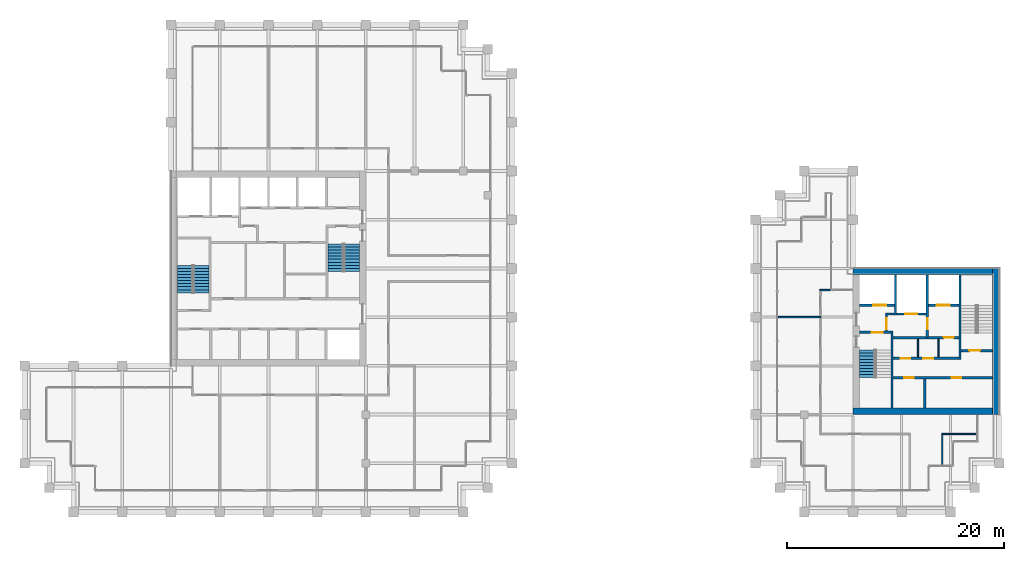
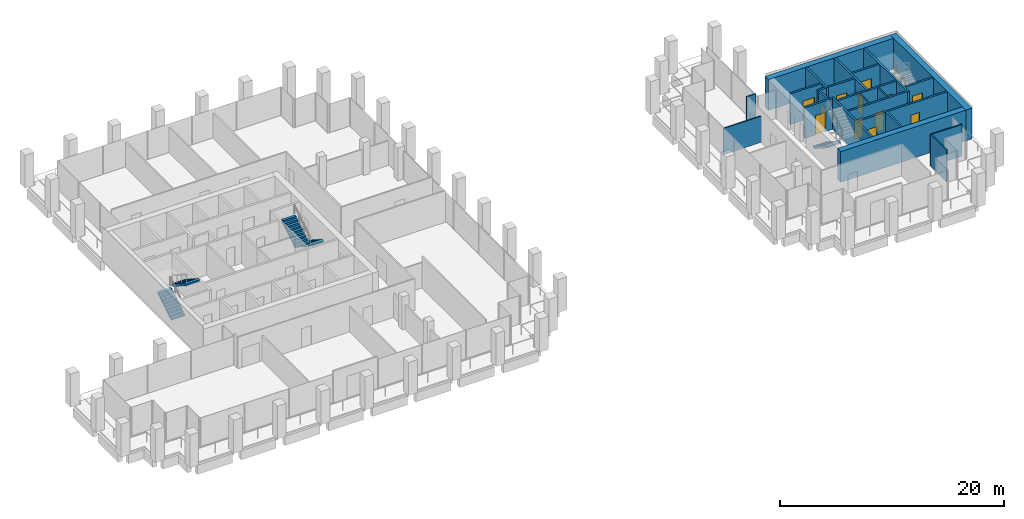
# One storey, part 38 of 40: 24 walls, 12 doors, 5 stair flights, 12 openings, 3 elements without a shape of their own.
"""IFC4 building model written with IfcOpenShell, lengths in metres."""

import ifcopenshell
import ifcopenshell.guid

model = None  # the IFC model being written
_history = None  # IfcOwnerHistory: only IFC2X3 demands one
_inside = {}  # id of a spatial element -> (the spatial element, [elements in it])
_under = {}  # id of a project, library or spatial element -> (it, [spatial elements below it])
_declared = {}  # id of a project -> (the project, [libraries it declares])
_typed = {}  # id of a type object -> (the type object, [elements of that type])
_made_of = {}  # id of a material, layer set ... -> (it, [elements and type objects made of it])


def new_model(schema):
    """Start an empty IFC model of exactly this schema.

    Asked for "IFC4X3", IfcOpenShell would pick the latest addendum, in which some entities
    have other attributes; the version numbers below select the first issue.
    IFC2X3 requires an IfcOwnerHistory on every rooted entity: one is made here for all.
    """
    global model, _history
    if schema == "IFC4X3":
        model = ifcopenshell.file(schema_version=(4, 3, 0, 0))
    else:
        model = ifcopenshell.file(schema=schema)
    _inside.clear()
    _under.clear()
    _declared.clear()
    _typed.clear()
    _made_of.clear()
    _history = None
    if model.schema == "IFC2X3":
        org = make("IfcOrganization", Name="unknown")
        user = make(
            "IfcPersonAndOrganization",
            ThePerson=make("IfcPerson", FamilyName="unknown"),
            TheOrganization=org,
        )
        app = make(
            "IfcApplication",
            ApplicationDeveloper=org,
            Version="unknown",
            ApplicationFullName="unknown",
            ApplicationIdentifier="unknown",
        )
        _history = make(
            "IfcOwnerHistory",
            OwningUser=user,
            OwningApplication=app,
            ChangeAction="ADDED",
            CreationDate=0,
        )
    return model


def make(cls, **values):
    """One entity of the class cls with the attributes given. An attribute that is None is left unset."""
    return model.create_entity(
        cls, **{name: value for name, value in values.items() if value is not None}
    )


def rooted(cls, **values):
    """An entity with a GlobalId (a new one), such as an element, a storey or a relation."""
    return make(cls, GlobalId=ifcopenshell.guid.new(), OwnerHistory=_history, **values)


def si_unit(unit_type, name, prefix=None):
    """IfcSIUnit, for example si_unit("LENGTHUNIT", "METRE", prefix="MILLI")."""
    return make("IfcSIUnit", UnitType=unit_type, Prefix=prefix, Name=name)


def assignment(units):
    """IfcUnitAssignment: the units of a project."""
    return None if units is None else make("IfcUnitAssignment", Units=units)


def point(xyz):
    """IfcCartesianPoint."""
    return None if xyz is None else make("IfcCartesianPoint", Coordinates=xyz)


def direction(xyz):
    """IfcDirection."""
    return None if xyz is None else make("IfcDirection", DirectionRatios=xyz)


def frame(location, z_axis=None, x_axis=None):
    """IfcAxis2Placement3D, a coordinate frame: its origin and axes. An axis left out is left unset."""
    return make(
        "IfcAxis2Placement3D",
        Location=point(location),
        Axis=direction(z_axis),
        RefDirection=direction(x_axis),
    )


def frame_2d(location, x_axis=None):
    """IfcAxis2Placement2D, a coordinate frame in the plane: its origin and x axis."""
    return make(
        "IfcAxis2Placement2D", Location=point(location), RefDirection=direction(x_axis)
    )


def origin():
    """The frame at (0, 0, 0) with its axes left unset."""
    return frame((0.0, 0.0, 0.0))


def place(relative_to, where):
    """IfcLocalPlacement: puts the frame where relative to a parent placement (None: the world)."""
    return make(
        "IfcLocalPlacement", PlacementRelTo=relative_to, RelativePlacement=where
    )


def context(
    kind, dimensions, precision=None, world=None, true_north=None, identifier=None
):
    """IfcGeometricRepresentationContext, for example the 3D "Model" context."""
    return make(
        "IfcGeometricRepresentationContext",
        ContextIdentifier=identifier,
        ContextType=kind,
        CoordinateSpaceDimension=dimensions,
        Precision=precision,
        WorldCoordinateSystem=world,
        TrueNorth=true_north,
    )


def subcontext(parent, identifier, kind, view, scale=None):
    """IfcGeometricRepresentationSubContext, for example "Body" below "Model"."""
    return make(
        "IfcGeometricRepresentationSubContext",
        ContextIdentifier=identifier,
        ContextType=kind,
        ParentContext=parent,
        TargetScale=scale,
        TargetView=view,
    )


def project(units=None, contexts=None):
    """IfcProject with its units and contexts."""
    return rooted(
        "IfcProject",
        Name="project",
        RepresentationContexts=contexts,
        UnitsInContext=assignment(units),
    )


def spatial(cls, under=None, at=None, **own):
    """A site, building, storey or space (cls), placed at a placement, below another one or the project."""
    s = rooted(cls, ObjectPlacement=at, **own)
    if under is not None:
        _under.setdefault(under.id(), (under, []))[1].append(s)
    return s


def polyline(points):
    """IfcPolyline through the points."""
    return make("IfcPolyline", Points=[point(p) for p in points])


def profile(cls, at=None, kind="AREA", **sizes):
    """A parametric profile (cls). Its sizes go by their IFC names, for example OverallWidth=200.0."""
    return make(cls, ProfileType=kind, Position=at, **sizes)


def rectangle(**sizes):
    """IfcRectangleProfileDef."""
    return profile("IfcRectangleProfileDef", **sizes)


def outline(outer, holes=None, kind="AREA"):
    """IfcArbitraryClosedProfileDef: a profile drawn as a closed curve; with holes, ...WithVoids."""
    if holes is None:
        return make("IfcArbitraryClosedProfileDef", ProfileType=kind, OuterCurve=outer)
    return make(
        "IfcArbitraryProfileDefWithVoids",
        ProfileType=kind,
        OuterCurve=outer,
        InnerCurves=holes,
    )


def extrude(swept, where, along, depth):
    """IfcExtrudedAreaSolid: the profile swept, set in the frame where, extruded along a direction by depth."""
    return make(
        "IfcExtrudedAreaSolid",
        SweptArea=swept,
        Position=where,
        ExtrudedDirection=direction(along),
        Depth=depth,
    )


def shape(context_of_items, identifier, shape_type, items):
    """IfcShapeRepresentation: the items that make up one representation, for example the "Body"."""
    return make(
        "IfcShapeRepresentation",
        ContextOfItems=context_of_items,
        RepresentationIdentifier=identifier,
        RepresentationType=shape_type,
        Items=items,
    )


def material(Name=None, Category=None):
    """IfcMaterial."""
    return make("IfcMaterial", Name=Name, Category=Category)


def layer(
    of_material, thickness, ventilated=None, Name=None, Category=None, Priority=None
):
    """IfcMaterialLayer: one layer of a wall or slab, of a material (None: an air gap)."""
    return make(
        "IfcMaterialLayer",
        Material=of_material,
        LayerThickness=thickness,
        IsVentilated=ventilated,
        Name=Name,
        Category=Category,
        Priority=Priority,
    )


def layer_set(layers, Name=None):
    """IfcMaterialLayerSet."""
    return make("IfcMaterialLayerSet", MaterialLayers=layers, LayerSetName=Name)


def made_of(thing, what):
    """Note that an element or type object is made of a material, layer set ...; save() writes the relation."""
    if what is not None:
        _made_of.setdefault(what.id(), (what, []))[1].append(thing)
    return thing


def type_object(cls, material=None, **own):
    """A type object (cls), such as IfcWallType, which elements share."""
    return made_of(rooted(cls, **own), material)


def element(
    cls,
    number,
    at=None,
    inside=None,
    cuts=None,
    type_object=None,
    material=None,
    context=None,
    identifier="Body",
    shape_type=None,
    held_by="IfcProductDefinitionShape",
    body=None,
    shapes=None,
    **own,
):
    """One element of the class cls, such as IfcWall. Its Tag is "e" and its number.

    at: its placement. inside: the storey or other place that contains it. cuts: it is an
    opening in that element (IfcRelVoidsElement). A single representation is given by context,
    identifier, shape_type and body (its items); several are given by shapes. held_by: the class
    of the entity that holds the representations. save() writes the other relations.
    """
    e = rooted(cls, Tag="e%d" % number, ObjectPlacement=at, **own)
    if body is not None:
        shapes = [shape(context, identifier, shape_type, body)]
    if shapes is not None:
        e.Representation = make(held_by, Representations=shapes)
    if inside is not None:
        _inside.setdefault(inside.id(), (inside, []))[1].append(e)
    if cuts is not None:
        rooted(
            "IfcRelVoidsElement", RelatingBuildingElement=cuts, RelatedOpeningElement=e
        )
    if type_object is not None:
        _typed.setdefault(type_object.id(), (type_object, []))[1].append(e)
    return made_of(e, material)


def fill(opening, filler):
    """IfcRelFillsElement: the door or window that sits in an opening."""
    return rooted(
        "IfcRelFillsElement",
        RelatingOpeningElement=opening,
        RelatedBuildingElement=filler,
    )


def aggregate(whole, parts):
    """IfcRelAggregates: a whole, such as a stair, and the parts it consists of."""
    return rooted("IfcRelAggregates", RelatingObject=whole, RelatedObjects=parts)


def save(model, path):
    """Write the relations noted so far, then the file.

    IfcRelAggregates (storeys below a building ...), IfcRelContainedInSpatialStructure (elements
    in a storey), IfcRelDefinesByType, IfcRelAssociatesMaterial and IfcRelDeclares: one each for
    every whole, place, type object, material and project.
    """
    for whole, parts in _under.values():
        aggregate(whole, parts)
    for where, things in _inside.values():
        rooted(
            "IfcRelContainedInSpatialStructure",
            RelatedElements=things,
            RelatingStructure=where,
        )
    for kind, things in _typed.values():
        rooted("IfcRelDefinesByType", RelatedObjects=things, RelatingType=kind)
    for what, things in _made_of.values():
        rooted("IfcRelAssociatesMaterial", RelatedObjects=things, RelatingMaterial=what)
    for by, libraries in _declared.values():
        rooted("IfcRelDeclares", RelatingContext=by, RelatedDefinitions=libraries)
    model.write(path)


model = new_model("IFC4")

# Units and contexts
model_context = context("Model", 3, precision=1e-05, world=origin(), true_north=direction((0.0, 1.0)))
body_context = subcontext(model_context, "Body", "Model", "MODEL_VIEW")
ifc_project = project(units=[si_unit("LENGTHUNIT", "METRE"), si_unit("AREAUNIT", "SQUARE_METRE"), si_unit("VOLUMEUNIT", "CUBIC_METRE"), si_unit("PLANEANGLEUNIT", "RADIAN"), si_unit("MASSUNIT", "GRAM", prefix="KILO")], contexts=[model_context])

# Site, building, storey
site_placement = place(None, origin())
site = spatial("IfcSite", under=ifc_project, at=site_placement, CompositionType="ELEMENT")
building_placement = place(site_placement, origin())
building = spatial("IfcBuilding", under=site, at=building_placement, Name="Altepetl Exchange Towers", CompositionType="ELEMENT")
storey_placement = place(building_placement, frame((0.0, 0.0, 165.39990234375)))
storey = spatial("IfcBuildingStorey", under=building, at=storey_placement, Name="L41", CompositionType="ELEMENT", Elevation=165.39990234375)

# Walls
ifc_material_1 = material(Name="Concrete C70/85", Category="concrete")
ifc_layer_1 = layer(ifc_material_1, 0.60009765625)
ifc_layer_set_1 = layer_set([ifc_layer_1], Name="Concrete C70/85")
wall_type_1 = type_object("IfcWallType", Name="Core wall 600 reinforced concrete", PredefinedType="SHEAR", material=ifc_layer_set_1)
wall_1_placement = place(storey_placement, frame((103.5, 36.300048828125, 0.0)))
element("IfcWall", 1, at=wall_1_placement, inside=storey, type_object=wall_type_1, Name="wall:B:L41:K-coreS", PredefinedType="SHEAR", context=body_context, shape_type="SweptSolid", body=[
    extrude(rectangle(XDim=12.89990234375, YDim=0.60009765625, at=frame_2d((6.449951171875, 0.0))), origin(), (0.0, 0.0, 1.0), 3.35009765625),
])
ifc_layer_2 = layer(ifc_material_1, 0.60009765625)
ifc_layer_set_2 = layer_set([ifc_layer_2], Name="Concrete C70/85")
wall_type_2 = type_object("IfcWallType", Name="Core wall 600 reinforced concrete external", PredefinedType="SHEAR", material=ifc_layer_set_2)
wall_2_placement = place(storey_placement, frame((116.699951171875, 36.0, 0.0), z_axis=(0.0, 0.0, 1.0), x_axis=(0.0, 1.0, 0.0)))
element("IfcWall", 2, at=wall_2_placement, inside=storey, type_object=wall_type_2, Name="wall:B:L41:K-coreE", PredefinedType="SHEAR", context=body_context, shape_type="SweptSolid", body=[
    extrude(rectangle(XDim=13.5, YDim=0.60009765625, at=frame_2d((6.75, 0.0))), origin(), (0.0, 0.0, 1.0), 3.35009765625),
])
wall_3_placement = place(storey_placement, frame((103.5, 49.199951171875, 0.0)))
element("IfcWall", 3, at=wall_3_placement, inside=storey, type_object=wall_type_2, Name="wall:B:L41:K-coreN", PredefinedType="SHEAR", context=body_context, shape_type="SweptSolid", body=[
    extrude(rectangle(XDim=12.89990234375, YDim=0.60009765625, at=frame_2d((6.449951171875, 0.0))), origin(), (0.0, 0.0, 1.0), 3.35009765625),
])
ifc_material_2 = material(Name="Concrete blockwork", Category="masonry")
ifc_layer_3 = layer(ifc_material_2, 0.199951171875)
ifc_layer_set_3 = layer_set([ifc_layer_3], Name="Concrete blockwork")
wall_type_3 = type_object("IfcWallType", Name="Lobby wall 200 blockwork", PredefinedType="PARTITIONING", material=ifc_layer_set_3)
wall_4_placement = place(storey_placement, frame((106.5, 45.300048828125, 0.0)))
element("IfcWall", 4, at=wall_4_placement, inside=storey, type_object=wall_type_3, Name="wall:B:L41:K-ffNw", PredefinedType="PARTITIONING", context=body_context, shape_type="SweptSolid", body=[
    extrude(rectangle(XDim=0.833251953125, YDim=0.199951171875, at=frame_2d((0.41650390625, 0.0))), origin(), (0.0, 0.0, 1.0), 3.35009765625),
])

# Wall, opening, door
wall_5_placement = place(storey_placement, frame((106.60009765625, 43.699951171875, 0.0), z_axis=(0.0, 0.0, 1.0), x_axis=(0.0, 1.0, 0.0)))
wall_5 = element("IfcWall", 5, at=wall_5_placement, inside=storey, type_object=wall_type_3, Name="wall:B:L41:K-ffW", PredefinedType="PARTITIONING", context=body_context, shape_type="SweptSolid", body=[
    extrude(rectangle(XDim=1.5, YDim=0.199951171875, at=frame_2d((0.75, 0.0))), origin(), (0.0, 0.0, 1.0), 3.35009765625),
])
opening_1_placement = place(wall_5_placement, frame((0.199951171875, 0.0, 0.0)))
opening_1 = element("IfcOpeningElement", 6, at=opening_1_placement, cuts=wall_5, Name="Opening L41.B65", PredefinedType="OPENING", context=body_context, shape_type="SweptSolid", body=[
    extrude(rectangle(XDim=1.0, YDim=2.10009765625, at=frame_2d((0.5, 1.050048828125))), frame((0.0, 0.10986328125, 0.0), z_axis=(0.0, -1.0, 0.0), x_axis=(1.0, 0.0, 0.0)), (0.0, 0.0, 1.0), 0.219970703125),
])
ifc_material_3 = material(Name="Steel and timber fire door", Category="steel")
door_type_1 = type_object("IfcDoorType", Name="Fire door 1000 x 2100 stair and lobby", OperationType="SINGLE_SWING_LEFT", PredefinedType="DOOR", material=ifc_material_3)
door_1_placement = place(opening_1_placement, frame((1.0, 0.0, 0.0), x_axis=(-1.0, 0.0, 0.0)))
door_1 = element("IfcDoor", 7, at=door_1_placement, inside=storey, type_object=door_type_1, Name="door:B:L41:K-dffW", OperationType="SINGLE_SWING_LEFT", OverallHeight=2.10009765625, OverallWidth=1.0, PredefinedType="DOOR", context=body_context, shape_type="SweptSolid", body=[
    extrude(rectangle(XDim=1.0, YDim=2.10009765625, at=frame_2d((0.5, 1.050048828125))), frame((0.0, 0.02490234375, 0.0), z_axis=(0.0, -1.0, 0.0), x_axis=(1.0, 0.0, 0.0)), (0.0, 0.0, 1.0), 0.050048828125),
])
fill(opening_1, door_1)

wall_6_placement = place(storey_placement, frame((107.199951171875, 43.10009765625, 0.0)))
wall_6 = element("IfcWall", 8, at=wall_6_placement, inside=storey, type_object=wall_type_3, Name="wall:B:L41:K-zoneN", PredefinedType="PARTITIONING", context=body_context, shape_type="SweptSolid", body=[
    extrude(rectangle(XDim=6.10009765625, YDim=0.199951171875, at=frame_2d((3.050048828125, 0.0))), origin(), (0.0, 0.0, 1.0), 3.35009765625),
])
opening_2_placement = place(wall_6_placement, frame((4.699951171875, 0.0, 0.0)))
opening_2 = element("IfcOpeningElement", 9, at=opening_2_placement, cuts=wall_6, Name="Opening L41.B70", PredefinedType="OPENING", context=body_context, shape_type="SweptSolid", body=[
    extrude(rectangle(XDim=0.89990234375, YDim=2.10009765625, at=frame_2d((0.449951171875, 1.050048828125))), frame((0.0, 0.10986328125, 0.0), z_axis=(0.0, -1.0, 0.0), x_axis=(1.0, 0.0, 0.0)), (0.0, 0.0, 1.0), 0.219970703125),
])
door_type_2 = type_object("IfcDoorType", Name="Fire door 900 x 2100 service room", OperationType="SINGLE_SWING_LEFT", PredefinedType="DOOR", material=ifc_material_3)
door_2_placement = place(opening_2_placement, frame((0.89990234375, 0.0, 0.0), x_axis=(-1.0, 0.0, 0.0)))
door_2 = element("IfcDoor", 10, at=door_2_placement, inside=storey, type_object=door_type_2, Name="door:B:L41:K-dz3", OperationType="SINGLE_SWING_LEFT", OverallHeight=2.10009765625, OverallWidth=0.89990234375, PredefinedType="DOOR", context=body_context, shape_type="SweptSolid", body=[
    extrude(rectangle(XDim=0.89990234375, YDim=2.10009765625, at=frame_2d((0.449951171875, 1.050048828125))), frame((0.0, 0.02490234375, 0.0), z_axis=(0.0, -1.0, 0.0), x_axis=(1.0, 0.0, 0.0)), (0.0, 0.0, 1.0), 0.050048828125),
])
fill(opening_2, door_2)

# Wall, openings, doors
wall_7_placement = place(storey_placement, frame((107.199951171875, 41.199951171875, 0.0)))
wall_7 = element("IfcWall", 11, at=wall_7_placement, inside=storey, type_object=wall_type_3, Name="wall:B:L41:K-zoneS", PredefinedType="PARTITIONING", context=body_context, shape_type="SweptSolid", body=[
    extrude(rectangle(XDim=6.10009765625, YDim=0.199951171875, at=frame_2d((3.050048828125, 0.0))), origin(), (0.0, 0.0, 1.0), 3.35009765625),
])
opening_3_placement = place(wall_7_placement, frame((0.699951171875, 0.0, 0.0)))
opening_3 = element("IfcOpeningElement", 12, at=opening_3_placement, cuts=wall_7, Name="Opening L41.B68", PredefinedType="OPENING", context=body_context, shape_type="SweptSolid", body=[
    extrude(rectangle(XDim=0.89990234375, YDim=2.10009765625, at=frame_2d((0.449951171875, 1.050048828125))), frame((0.0, 0.10986328125, 0.0), z_axis=(0.0, -1.0, 0.0), x_axis=(1.0, 0.0, 0.0)), (0.0, 0.0, 1.0), 0.219970703125),
])
opening_4_placement = place(wall_7_placement, frame((2.800048828125, 0.0, 0.0)))
opening_4 = element("IfcOpeningElement", 13, at=opening_4_placement, cuts=wall_7, Name="Opening L41.B69", PredefinedType="OPENING", context=body_context, shape_type="SweptSolid", body=[
    extrude(rectangle(XDim=0.89990234375, YDim=2.10009765625, at=frame_2d((0.449951171875, 1.050048828125))), frame((0.0, 0.10986328125, 0.0), z_axis=(0.0, -1.0, 0.0), x_axis=(1.0, 0.0, 0.0)), (0.0, 0.0, 1.0), 0.219970703125),
])
door_3_placement = place(opening_3_placement, origin())
door_3 = element("IfcDoor", 14, at=door_3_placement, inside=storey, type_object=door_type_2, Name="door:B:L41:K-dz1", OperationType="SINGLE_SWING_RIGHT", OverallHeight=2.10009765625, OverallWidth=0.89990234375, PredefinedType="DOOR", context=body_context, shape_type="SweptSolid", body=[
    extrude(rectangle(XDim=0.89990234375, YDim=2.10009765625, at=frame_2d((0.449951171875, 1.050048828125))), frame((0.0, 0.02490234375, 0.0), z_axis=(0.0, -1.0, 0.0), x_axis=(1.0, 0.0, 0.0)), (0.0, 0.0, 1.0), 0.050048828125),
])
fill(opening_3, door_3)
door_4_placement = place(opening_4_placement, origin())
door_4 = element("IfcDoor", 15, at=door_4_placement, inside=storey, type_object=door_type_2, Name="door:B:L41:K-dz2", OperationType="SINGLE_SWING_RIGHT", OverallHeight=2.10009765625, OverallWidth=0.89990234375, PredefinedType="DOOR", context=body_context, shape_type="SweptSolid", body=[
    extrude(rectangle(XDim=0.89990234375, YDim=2.10009765625, at=frame_2d((0.449951171875, 1.050048828125))), frame((0.0, 0.02490234375, 0.0), z_axis=(0.0, -1.0, 0.0), x_axis=(1.0, 0.0, 0.0)), (0.0, 0.0, 1.0), 0.050048828125),
])
fill(opening_4, door_4)

# Walls
ifc_material_4 = material(Name="Gypsum board on steel studs", Category="steel")
ifc_layer_4 = layer(ifc_material_4, 0.125)
ifc_layer_set_4 = layer_set([ifc_layer_4], Name="Gypsum board on steel studs")
wall_type_4 = type_object("IfcWallType", Name="Partition 125 gypsum board on steel studs", PredefinedType="PARTITIONING", material=ifc_layer_set_4)
for number, where, z_axis, x_axis, name in (
    (16, (109.5, 41.300048828125, 0.0), (0.0, 0.0, 1.0), (0.0, 1.0, 0.0), "wall:B:L41:K-zp1"),
    (17, (111.39990234375, 41.300048828125, 0.0), (0.0, 0.0, 1.0), (0.0, 1.0, 0.0), "wall:B:L41:K-zp2"),
):
    element("IfcWall", number, at=place(storey_placement, frame(where, z_axis=z_axis, x_axis=x_axis)), inside=storey, type_object=wall_type_4, Name=name, PredefinedType="PARTITIONING", context=body_context, shape_type="SweptSolid", body=[
        extrude(rectangle(XDim=1.699951171875, YDim=0.125, at=frame_2d((0.85009765625, 0.0))), origin(), (0.0, 0.0, 1.0), 3.35009765625),
    ])
wall_8_placement = place(storey_placement, frame((111.6875, 34.199951171875, 0.0)))
element("IfcWall", 18, at=wall_8_placement, inside=storey, type_object=wall_type_4, Name="wall:B:L41:P02", PredefinedType="PARTITIONING", context=body_context, shape_type="SweptSolid", body=[
    extrude(rectangle(XDim=3.21240234375, YDim=0.125, at=frame_2d((1.606201171875, 0.0))), origin(), (0.0, 0.0, 1.0), 3.4501953125),
])
wall_9_placement = place(storey_placement, frame((96.60009765625, 45.0, 0.0)))
element("IfcWall", 19, at=wall_9_placement, inside=storey, type_object=wall_type_4, Name="wall:B:L41:P06", PredefinedType="PARTITIONING", context=body_context, shape_type="SweptSolid", body=[
    extrude(rectangle(XDim=3.89990234375, YDim=0.125, at=frame_2d((1.949951171875, 0.0))), origin(), (0.0, 0.0, 1.0), 2.85107421875),
])
wall_10_placement = place(storey_placement, frame((100.4375, 47.5, 0.0)))
element("IfcWall", 20, at=wall_10_placement, inside=storey, type_object=wall_type_4, Name="wall:B:L41:P07", PredefinedType="PARTITIONING", context=body_context, shape_type="SweptSolid", body=[
    extrude(rectangle(XDim=0.96240234375, YDim=0.125, at=frame_2d((0.481201171875, 0.0))), origin(), (0.0, 0.0, 1.0), 3.4501953125),
])
wall_11_placement = place(storey_placement, frame((111.75, 31.35009765625, 0.0), z_axis=(0.0, 0.0, 1.0), x_axis=(0.0, 1.0, 0.0)))
element("IfcWall", 21, at=wall_11_placement, inside=storey, type_object=wall_type_4, Name="wall:B:L41:P10", PredefinedType="PARTITIONING", context=body_context, shape_type="SweptSolid", body=[
    extrude(rectangle(XDim=2.787353515625, YDim=0.125, at=frame_2d((1.3935546875, 0.0))), origin(), (0.0, 0.0, 1.0), 3.4501953125),
])
ifc_material_5 = material(Name="Concrete C40/50", Category="concrete")
ifc_layer_5 = layer(ifc_material_5, 0.199951171875)
ifc_layer_set_5 = layer_set([ifc_layer_5], Name="Concrete C40/50")
wall_type_5 = type_object("IfcWallType", Name="Shaft wall 200 reinforced concrete", PredefinedType="SHEAR", material=ifc_layer_set_5)
wall_12_placement = place(storey_placement, frame((107.433349609375, 48.89990234375, 0.0), z_axis=(0.0, 0.0, 1.0), x_axis=(0.0, -1.0, 0.0)))
element("IfcWall", 22, at=wall_12_placement, inside=storey, type_object=wall_type_5, Name="wall:B:L41:K-divN1", PredefinedType="SHEAR", context=body_context, shape_type="SweptSolid", body=[
    extrude(rectangle(XDim=3.699951171875, YDim=0.199951171875, at=frame_2d((1.85009765625, 0.0))), origin(), (0.0, 0.0, 1.0), 3.35009765625),
])

# Wall, opening, door
wall_13_placement = place(storey_placement, frame((110.36669921875, 48.89990234375, 0.0), z_axis=(0.0, 0.0, 1.0), x_axis=(0.0, -1.0, 0.0)))
wall_13 = element("IfcWall", 23, at=wall_13_placement, inside=storey, type_object=wall_type_5, Name="wall:B:L41:K-divN2", PredefinedType="SHEAR", context=body_context, shape_type="SweptSolid", body=[
    extrude(rectangle(XDim=5.7998046875, YDim=0.199951171875, at=frame_2d((2.89990234375, 0.0))), origin(), (0.0, 0.0, 1.0), 3.35009765625),
])
opening_5_placement = place(wall_13_placement, frame((4.0, 0.0, 0.0)))
opening_5 = element("IfcOpeningElement", 24, at=opening_5_placement, cuts=wall_13, Name="Opening L41.B64", PredefinedType="OPENING", context=body_context, shape_type="SweptSolid", body=[
    extrude(rectangle(XDim=1.0, YDim=2.10009765625, at=frame_2d((0.5, 1.050048828125))), frame((0.0, 0.10986328125, 0.0), z_axis=(0.0, -1.0, 0.0), x_axis=(1.0, 0.0, 0.0)), (0.0, 0.0, 1.0), 0.219970703125),
])
door_5_placement = place(opening_5_placement, frame((1.0, 0.0, 0.0), x_axis=(-1.0, 0.0, 0.0)))
door_5 = element("IfcDoor", 25, at=door_5_placement, inside=storey, type_object=door_type_1, Name="door:B:L41:K-dffE", OperationType="SINGLE_SWING_RIGHT", OverallHeight=2.10009765625, OverallWidth=1.0, PredefinedType="DOOR", context=body_context, shape_type="SweptSolid", body=[
    extrude(rectangle(XDim=1.0, YDim=2.10009765625, at=frame_2d((0.5, 1.050048828125))), frame((0.0, 0.02490234375, 0.0), z_axis=(0.0, -1.0, 0.0), x_axis=(1.0, 0.0, 0.0)), (0.0, 0.0, 1.0), 0.050048828125),
])
fill(opening_5, door_5)

wall_14_placement = place(storey_placement, frame((104.10009765625, 46.10009765625, 0.0)))
wall_14 = element("IfcWall", 26, at=wall_14_placement, inside=storey, type_object=wall_type_5, Name="wall:B:L41:K-frontNa", PredefinedType="SHEAR", context=body_context, shape_type="SweptSolid", body=[
    extrude(rectangle(XDim=3.233154296875, YDim=0.199951171875, at=frame_2d((1.61669921875, 0.0))), origin(), (0.0, 0.0, 1.0), 3.35009765625),
])
opening_6_placement = place(wall_14_placement, frame((1.2666015625, 0.0, 0.0)))
opening_6 = element("IfcOpeningElement", 27, at=opening_6_placement, cuts=wall_14, Name="Opening L41.B72", PredefinedType="OPENING", context=body_context, shape_type="SweptSolid", body=[
    extrude(rectangle(XDim=1.199951171875, YDim=2.10009765625, at=frame_2d((0.60009765625, 1.050048828125))), frame((0.0, 0.10986328125, 0.0), z_axis=(0.0, -1.0, 0.0), x_axis=(1.0, 0.0, 0.0)), (0.0, 0.0, 1.0), 0.219970703125),
])
ifc_material_6 = material(Name="Stainless steel", Category="steel")
door_type_3 = type_object("IfcDoorType", Name="Lift landing door 1200 x 2100", OperationType="SLIDING_TO_LEFT", PredefinedType="DOOR", material=ifc_material_6)
door_6_placement = place(opening_6_placement, origin())
door_6 = element("IfcDoor", 28, at=door_6_placement, inside=storey, type_object=door_type_3, Name="Landing door P4", OperationType="SLIDING_TO_LEFT", OverallHeight=2.10009765625, OverallWidth=1.199951171875, PredefinedType="DOOR", context=body_context, shape_type="SweptSolid", body=[
    extrude(rectangle(XDim=1.199951171875, YDim=2.10009765625, at=frame_2d((0.60009765625, 1.050048828125))), frame((0.0, 0.02490234375, 0.0), z_axis=(0.0, -1.0, 0.0), x_axis=(1.0, 0.0, 0.0)), (0.0, 0.0, 1.0), 0.050048828125),
])
fill(opening_6, door_6)

wall_15_placement = place(storey_placement, frame((110.466796875, 46.10009765625, 0.0)))
wall_15 = element("IfcWall", 29, at=wall_15_placement, inside=storey, type_object=wall_type_5, Name="wall:B:L41:K-frontNb", PredefinedType="SHEAR", context=body_context, shape_type="SweptSolid", body=[
    extrude(rectangle(XDim=2.833251953125, YDim=0.199951171875, at=frame_2d((1.41650390625, 0.0))), origin(), (0.0, 0.0, 1.0), 3.35009765625),
])
opening_7_placement = place(wall_15_placement, frame((0.7666015625, 0.0, 0.0)))
opening_7 = element("IfcOpeningElement", 30, at=opening_7_placement, cuts=wall_15, Name="Opening L41.B73", PredefinedType="OPENING", context=body_context, shape_type="SweptSolid", body=[
    extrude(rectangle(XDim=1.199951171875, YDim=2.10009765625, at=frame_2d((0.60009765625, 1.050048828125))), frame((0.0, 0.10986328125, 0.0), z_axis=(0.0, -1.0, 0.0), x_axis=(1.0, 0.0, 0.0)), (0.0, 0.0, 1.0), 0.219970703125),
])
door_7_placement = place(opening_7_placement, origin())
door_7 = element("IfcDoor", 31, at=door_7_placement, inside=storey, type_object=door_type_3, Name="Landing door P5", OperationType="SLIDING_TO_LEFT", OverallHeight=2.10009765625, OverallWidth=1.199951171875, PredefinedType="DOOR", context=body_context, shape_type="SweptSolid", body=[
    extrude(rectangle(XDim=1.199951171875, YDim=2.10009765625, at=frame_2d((0.60009765625, 1.050048828125))), frame((0.0, 0.02490234375, 0.0), z_axis=(0.0, -1.0, 0.0), x_axis=(1.0, 0.0, 0.0)), (0.0, 0.0, 1.0), 0.050048828125),
])
fill(opening_7, door_7)

wall_16_placement = place(storey_placement, frame((107.533203125, 45.300048828125, 0.0)))
wall_16 = element("IfcWall", 32, at=wall_16_placement, inside=storey, type_object=wall_type_5, Name="wall:B:L41:K-frontNd", PredefinedType="SHEAR", context=body_context, shape_type="SweptSolid", body=[
    extrude(rectangle(XDim=2.7333984375, YDim=0.199951171875, at=frame_2d((1.36669921875, 0.0))), origin(), (0.0, 0.0, 1.0), 3.35009765625),
])
opening_8_placement = place(wall_16_placement, frame((0.816650390625, 0.0, 0.0)))
opening_8 = element("IfcOpeningElement", 33, at=opening_8_placement, cuts=wall_16, Name="Opening L41.B71", PredefinedType="OPENING", context=body_context, shape_type="SweptSolid", body=[
    extrude(rectangle(XDim=1.10009765625, YDim=2.10009765625, at=frame_2d((0.550048828125, 1.050048828125))), frame((0.0, 0.10986328125, 0.0), z_axis=(0.0, -1.0, 0.0), x_axis=(1.0, 0.0, 0.0)), (0.0, 0.0, 1.0), 0.219970703125),
])
door_type_4 = type_object("IfcDoorType", Name="Lift landing door 1100 x 2100", OperationType="SLIDING_TO_LEFT", PredefinedType="DOOR", material=ifc_material_6)
door_8_placement = place(opening_8_placement, origin())
door_8 = element("IfcDoor", 34, at=door_8_placement, inside=storey, type_object=door_type_4, Name="Landing door FFL1", OperationType="SLIDING_TO_LEFT", OverallHeight=2.10009765625, OverallWidth=1.10009765625, PredefinedType="DOOR", context=body_context, shape_type="SweptSolid", body=[
    extrude(rectangle(XDim=1.10009765625, YDim=2.10009765625, at=frame_2d((0.550048828125, 1.050048828125))), frame((0.0, 0.02490234375, 0.0), z_axis=(0.0, -1.0, 0.0), x_axis=(1.0, 0.0, 0.0)), (0.0, 0.0, 1.0), 0.050048828125),
])
fill(opening_8, door_8)

# Wall, openings, doors
wall_17_placement = place(storey_placement, frame((107.199951171875, 39.39990234375, 0.0)))
wall_17 = element("IfcWall", 35, at=wall_17_placement, inside=storey, type_object=wall_type_5, Name="wall:B:L41:K-frontS", PredefinedType="SHEAR", context=body_context, shape_type="SweptSolid", body=[
    extrude(rectangle(XDim=9.199951171875, YDim=0.199951171875, at=frame_2d((4.60009765625, 0.0))), origin(), (0.0, 0.0, 1.0), 3.35009765625),
])
opening_9_placement = place(wall_17_placement, frame((1.0166015625, 0.0, 0.0)))
opening_9 = element("IfcOpeningElement", 36, at=opening_9_placement, cuts=wall_17, Name="Opening L41.B66", PredefinedType="OPENING", context=body_context, shape_type="SweptSolid", body=[
    extrude(rectangle(XDim=0.89990234375, YDim=2.10009765625, at=frame_2d((0.449951171875, 1.050048828125))), frame((0.0, 0.10986328125, 0.0), z_axis=(0.0, -1.0, 0.0), x_axis=(1.0, 0.0, 0.0)), (0.0, 0.0, 1.0), 0.219970703125),
])
opening_10_placement = place(wall_17_placement, frame((5.416748046875, 0.0, 0.0)))
opening_10 = element("IfcOpeningElement", 37, at=opening_10_placement, cuts=wall_17, Name="Opening L41.B67", PredefinedType="OPENING", context=body_context, shape_type="SweptSolid", body=[
    extrude(rectangle(XDim=0.89990234375, YDim=2.10009765625, at=frame_2d((0.449951171875, 1.050048828125))), frame((0.0, 0.10986328125, 0.0), z_axis=(0.0, -1.0, 0.0), x_axis=(1.0, 0.0, 0.0)), (0.0, 0.0, 1.0), 0.219970703125),
])
door_9_placement = place(opening_9_placement, frame((0.89990234375, 0.0, 0.0), x_axis=(-1.0, 0.0, 0.0)))
door_9 = element("IfcDoor", 38, at=door_9_placement, inside=storey, type_object=door_type_2, Name="door:B:L41:K-dslotS0", OperationType="SINGLE_SWING_LEFT", OverallHeight=2.10009765625, OverallWidth=0.89990234375, PredefinedType="DOOR", context=body_context, shape_type="SweptSolid", body=[
    extrude(rectangle(XDim=0.89990234375, YDim=2.10009765625, at=frame_2d((0.449951171875, 1.050048828125))), frame((0.0, 0.02490234375, 0.0), z_axis=(0.0, -1.0, 0.0), x_axis=(1.0, 0.0, 0.0)), (0.0, 0.0, 1.0), 0.050048828125),
])
fill(opening_9, door_9)
door_10_placement = place(opening_10_placement, frame((0.89990234375, 0.0, 0.0), x_axis=(-1.0, 0.0, 0.0)))
door_10 = element("IfcDoor", 39, at=door_10_placement, inside=storey, type_object=door_type_2, Name="door:B:L41:K-dslotS1", OperationType="SINGLE_SWING_LEFT", OverallHeight=2.10009765625, OverallWidth=0.89990234375, PredefinedType="DOOR", context=body_context, shape_type="SweptSolid", body=[
    extrude(rectangle(XDim=0.89990234375, YDim=2.10009765625, at=frame_2d((0.449951171875, 1.050048828125))), frame((0.0, 0.02490234375, 0.0), z_axis=(0.0, -1.0, 0.0), x_axis=(1.0, 0.0, 0.0)), (0.0, 0.0, 1.0), 0.050048828125),
])
fill(opening_10, door_10)

# Walls
ifc_layer_6 = layer(ifc_material_1, 0.199951171875)
ifc_layer_set_6 = layer_set([ifc_layer_6], Name="Concrete C70/85")
wall_type_6 = type_object("IfcWallType", Name="Shear wall 200 reinforced concrete", PredefinedType="SHEAR", material=ifc_layer_set_6)
wall_18_placement = place(storey_placement, frame((110.13330078125, 36.60009765625, 0.0), z_axis=(0.0, 0.0, 1.0), x_axis=(0.0, 1.0, 0.0)))
element("IfcWall", 40, at=wall_18_placement, inside=storey, type_object=wall_type_6, Name="wall:B:L41:K-divS1", PredefinedType="SHEAR", context=body_context, shape_type="SweptSolid", body=[
    extrude(rectangle(XDim=2.699951171875, YDim=0.199951171875, at=frame_2d((1.35009765625, 0.0))), origin(), (0.0, 0.0, 1.0), 3.35009765625),
])
ifc_layer_7 = layer(ifc_material_5, 0.199951171875)
ifc_layer_set_7 = layer_set([ifc_layer_7], Name="Concrete C40/50")
wall_type_7 = type_object("IfcWallType", Name="Stair wall 200 reinforced concrete", PredefinedType="SHEAR", material=ifc_layer_set_7)
wall_19_placement = place(storey_placement, frame((107.10009765625, 36.60009765625, 0.0), z_axis=(0.0, 0.0, 1.0), x_axis=(0.0, 1.0, 0.0)))
element("IfcWall", 41, at=wall_19_placement, inside=storey, type_object=wall_type_7, Name="wall:B:L41:K-stS1E", PredefinedType="SHEAR", context=body_context, shape_type="SweptSolid", body=[
    extrude(rectangle(XDim=7.099853515625, YDim=0.199951171875, at=frame_2d((3.5498046875, 0.0))), origin(), (0.0, 0.0, 1.0), 3.35009765625),
])

# Wall, opening, door
wall_20_placement = place(storey_placement, frame((104.10009765625, 43.60009765625, 0.0)))
wall_20 = element("IfcWall", 42, at=wall_20_placement, inside=storey, type_object=wall_type_7, Name="wall:B:L41:K-stS1N", PredefinedType="SHEAR", context=body_context, shape_type="SweptSolid", body=[
    extrude(rectangle(XDim=2.89990234375, YDim=0.199951171875, at=frame_2d((1.449951171875, 0.0))), origin(), (0.0, 0.0, 1.0), 3.35009765625),
])
opening_11_placement = place(wall_20_placement, frame((1.14990234375, 0.0, 0.0)))
opening_11 = element("IfcOpeningElement", 43, at=opening_11_placement, cuts=wall_20, Name="Opening L41.B61", PredefinedType="OPENING", context=body_context, shape_type="SweptSolid", body=[
    extrude(rectangle(XDim=1.0, YDim=2.10009765625, at=frame_2d((0.5, 1.050048828125))), frame((0.0, 0.10986328125, 0.0), z_axis=(0.0, -1.0, 0.0), x_axis=(1.0, 0.0, 0.0)), (0.0, 0.0, 1.0), 0.219970703125),
])
door_11_placement = place(opening_11_placement, frame((1.0, 0.0, 0.0), x_axis=(-1.0, 0.0, 0.0)))
door_11 = element("IfcDoor", 44, at=door_11_placement, inside=storey, type_object=door_type_1, Name="door:B:L41:K-dS1in", OperationType="SINGLE_SWING_LEFT", OverallHeight=2.10009765625, OverallWidth=1.0, PredefinedType="DOOR", context=body_context, shape_type="SweptSolid", body=[
    extrude(rectangle(XDim=1.0, YDim=2.10009765625, at=frame_2d((0.5, 1.050048828125))), frame((0.0, 0.02490234375, 0.0), z_axis=(0.0, -1.0, 0.0), x_axis=(1.0, 0.0, 0.0)), (0.0, 0.0, 1.0), 0.050048828125),
])
fill(opening_11, door_11)

wall_21_placement = place(storey_placement, frame((113.5, 41.89990234375, 0.0)))
wall_21 = element("IfcWall", 45, at=wall_21_placement, inside=storey, type_object=wall_type_7, Name="wall:B:L41:K-stS2S", PredefinedType="SHEAR", context=body_context, shape_type="SweptSolid", body=[
    extrude(rectangle(XDim=2.89990234375, YDim=0.199951171875, at=frame_2d((1.449951171875, 0.0))), origin(), (0.0, 0.0, 1.0), 3.35009765625),
])
opening_12_placement = place(wall_21_placement, frame((0.75, 0.0, 0.0)))
opening_12 = element("IfcOpeningElement", 46, at=opening_12_placement, cuts=wall_21, Name="Opening L41.B63", PredefinedType="OPENING", context=body_context, shape_type="SweptSolid", body=[
    extrude(rectangle(XDim=1.0, YDim=2.10009765625, at=frame_2d((0.5, 1.050048828125))), frame((0.0, 0.10986328125, 0.0), z_axis=(0.0, -1.0, 0.0), x_axis=(1.0, 0.0, 0.0)), (0.0, 0.0, 1.0), 0.219970703125),
])
door_12_placement = place(opening_12_placement, origin())
door_12 = element("IfcDoor", 47, at=door_12_placement, inside=storey, type_object=door_type_1, Name="door:B:L41:K-dS2in", OperationType="SINGLE_SWING_RIGHT", OverallHeight=2.10009765625, OverallWidth=1.0, PredefinedType="DOOR", context=body_context, shape_type="SweptSolid", body=[
    extrude(rectangle(XDim=1.0, YDim=2.10009765625, at=frame_2d((0.5, 1.050048828125))), frame((0.0, 0.02490234375, 0.0), z_axis=(0.0, -1.0, 0.0), x_axis=(1.0, 0.0, 0.0)), (0.0, 0.0, 1.0), 0.050048828125),
])
fill(opening_12, door_12)

# Wall
wall_22_placement = place(storey_placement, frame((113.39990234375, 41.10009765625, 0.0), z_axis=(0.0, 0.0, 1.0), x_axis=(0.0, 1.0, 0.0)))
element("IfcWall", 48, at=wall_22_placement, inside=storey, type_object=wall_type_7, Name="wall:B:L41:K-stS2W", PredefinedType="SHEAR", context=body_context, shape_type="SweptSolid", body=[
    extrude(rectangle(XDim=7.7998046875, YDim=0.199951171875, at=frame_2d((3.89990234375, 0.0))), origin(), (0.0, 0.0, 1.0), 3.35009765625),
])

# Stair, stair flights
stair_type = type_object("IfcStairType", Name="Exit stair 1400 flights dogleg", PredefinedType="HALF_TURN_STAIR", material=ifc_material_5)
stair_1_placement = place(storey_placement, origin())
stair_1 = element("IfcStair", 49, at=stair_1_placement, inside=storey, type_object=stair_type, Name="Exit stair 1", PredefinedType="HALF_TURN_STAIR")
stair_flight_type = type_object("IfcStairFlightType", Name="Stair flight 1400 wide", PredefinedType="STRAIGHT", material=ifc_material_5)
stair_flight_1_placement = place(storey_placement, frame((41.800048828125, 47.25, 0.0), z_axis=(0.0, 0.0, 1.0), x_axis=(0.0, 1.0, 0.0)))
stair_flight_1 = element("IfcStairFlight", 50, at=stair_flight_1_placement, type_object=stair_flight_type, Name="ST-A1e flight 1", NumberOfRisers=10, NumberOfTreads=9, PredefinedType="STRAIGHT", RiserHeight=0.18, TreadLength=0.28, context=body_context, shape_type="SweptSolid", body=[
    extrude(outline(polyline([(0.0, 0.0), (0.0, 0.179931640625), (0.280029296875, 0.179931640625), (0.280029296875, 0.360107421875), (0.56005859375, 0.360107421875), (0.56005859375, 0.5400390625), (0.840087890625, 0.5400390625), (0.840087890625, 0.719970703125), (1.1201171875, 0.719970703125), (1.1201171875, 0.89990234375), (1.39990234375, 0.89990234375), (1.39990234375, 1.080078125), (1.679931640625, 1.080078125), (1.679931640625, 1.260009765625), (1.9599609375, 1.260009765625), (1.9599609375, 1.43994140625), (2.239990234375, 1.43994140625), (2.239990234375, 1.6201171875), (2.52001953125, 1.6201171875), (2.52001953125, 1.800048828125), (2.52001953125, 1.44189453125), (0.277099609375, 0.0), (0.0, 0.0)])), frame((0.0, 0.699951171875, 0.0), z_axis=(0.0, -1.0, 0.0), x_axis=(1.0, 0.0, 0.0)), (0.0, 0.0, 1.0), 1.39990234375),
])
stair_flight_2_placement = place(storey_placement, frame((43.300048828125, 49.77001953125, 1.800048828125), z_axis=(0.0, 0.0, 1.0), x_axis=(0.0, -1.0, 0.0)))
stair_flight_2 = element("IfcStairFlight", 51, at=stair_flight_2_placement, type_object=stair_flight_type, Name="ST-A1e flight 2", NumberOfRisers=10, NumberOfTreads=9, PredefinedType="STRAIGHT", RiserHeight=0.18, TreadLength=0.28, context=body_context, shape_type="SweptSolid", body=[
    extrude(outline(polyline([(0.0, 0.0), (0.0, 0.179931640625), (0.280029296875, 0.179931640625), (0.280029296875, 0.360107421875), (0.56005859375, 0.360107421875), (0.56005859375, 0.5400390625), (0.840087890625, 0.5400390625), (0.840087890625, 0.719970703125), (1.1201171875, 0.719970703125), (1.1201171875, 0.89990234375), (1.39990234375, 0.89990234375), (1.39990234375, 1.080078125), (1.679931640625, 1.080078125), (1.679931640625, 1.260009765625), (1.9599609375, 1.260009765625), (1.9599609375, 1.43994140625), (2.239990234375, 1.43994140625), (2.239990234375, 1.6201171875), (2.52001953125, 1.6201171875), (2.52001953125, 1.800048828125), (2.52001953125, 1.44189453125), (0.277099609375, 0.0), (0.0, 0.0)])), frame((0.0, 0.699951171875, 0.0), z_axis=(0.0, -1.0, 0.0), x_axis=(1.0, 0.0, 0.0)), (0.0, 0.0, 1.0), 1.39990234375),
])
aggregate(stair_1, [stair_flight_1, stair_flight_2])

stair_2_placement = place(storey_placement, origin())
stair_2 = element("IfcStair", 52, at=stair_2_placement, inside=storey, type_object=stair_type, Name="Exit stair 2", PredefinedType="HALF_TURN_STAIR")
stair_flight_3_placement = place(storey_placement, frame((57.199951171875, 51.75, 0.0), z_axis=(0.0, 0.0, 1.0), x_axis=(0.0, -1.0, 0.0)))
stair_flight_3 = element("IfcStairFlight", 53, at=stair_flight_3_placement, type_object=stair_flight_type, Name="ST-A2e flight 1", NumberOfRisers=10, NumberOfTreads=9, PredefinedType="STRAIGHT", RiserHeight=0.18, TreadLength=0.28, context=body_context, shape_type="SweptSolid", body=[
    extrude(outline(polyline([(0.0, 0.0), (0.0, 0.179931640625), (0.280029296875, 0.179931640625), (0.280029296875, 0.360107421875), (0.56005859375, 0.360107421875), (0.56005859375, 0.5400390625), (0.840087890625, 0.5400390625), (0.840087890625, 0.719970703125), (1.1201171875, 0.719970703125), (1.1201171875, 0.89990234375), (1.39990234375, 0.89990234375), (1.39990234375, 1.080078125), (1.679931640625, 1.080078125), (1.679931640625, 1.260009765625), (1.9599609375, 1.260009765625), (1.9599609375, 1.43994140625), (2.239990234375, 1.43994140625), (2.239990234375, 1.6201171875), (2.52001953125, 1.6201171875), (2.52001953125, 1.800048828125), (2.52001953125, 1.44189453125), (0.277099609375, 0.0), (0.0, 0.0)])), frame((0.0, 0.699951171875, 0.0), z_axis=(0.0, -1.0, 0.0), x_axis=(1.0, 0.0, 0.0)), (0.0, 0.0, 1.0), 1.39990234375),
])
stair_flight_4_placement = place(storey_placement, frame((55.699951171875, 49.22998046875, 1.800048828125), z_axis=(0.0, 0.0, 1.0), x_axis=(0.0, 1.0, 0.0)))
stair_flight_4 = element("IfcStairFlight", 54, at=stair_flight_4_placement, type_object=stair_flight_type, Name="ST-A2e flight 2", NumberOfRisers=10, NumberOfTreads=9, PredefinedType="STRAIGHT", RiserHeight=0.18, TreadLength=0.28, context=body_context, shape_type="SweptSolid", body=[
    extrude(outline(polyline([(0.0, 0.0), (0.0, 0.179931640625), (0.280029296875, 0.179931640625), (0.280029296875, 0.360107421875), (0.56005859375, 0.360107421875), (0.56005859375, 0.5400390625), (0.840087890625, 0.5400390625), (0.840087890625, 0.719970703125), (1.1201171875, 0.719970703125), (1.1201171875, 0.89990234375), (1.39990234375, 0.89990234375), (1.39990234375, 1.080078125), (1.679931640625, 1.080078125), (1.679931640625, 1.260009765625), (1.9599609375, 1.260009765625), (1.9599609375, 1.43994140625), (2.239990234375, 1.43994140625), (2.239990234375, 1.6201171875), (2.52001953125, 1.6201171875), (2.52001953125, 1.800048828125), (2.52001953125, 1.44189453125), (0.277099609375, 0.0), (0.0, 0.0)])), frame((0.0, 0.699951171875, 0.0), z_axis=(0.0, -1.0, 0.0), x_axis=(1.0, 0.0, 0.0)), (0.0, 0.0, 1.0), 1.39990234375),
])
aggregate(stair_2, [stair_flight_3, stair_flight_4])

# Stair, stair flight
stair_3_placement = place(storey_placement, origin())
stair_3 = element("IfcStair", 55, at=stair_3_placement, inside=storey, type_object=stair_type, Name="Exit stair 1", PredefinedType="HALF_TURN_STAIR")
stair_flight_5_placement = place(storey_placement, frame((104.800048828125, 41.949951171875, 0.0), z_axis=(0.0, 0.0, 1.0), x_axis=(0.0, -1.0, 0.0)))
stair_flight_5 = element("IfcStairFlight", 56, at=stair_flight_5_placement, type_object=stair_flight_type, Name="ST-B1e flight 1", NumberOfRisers=10, NumberOfTreads=9, PredefinedType="STRAIGHT", RiserHeight=0.18, TreadLength=0.28, context=body_context, shape_type="SweptSolid", body=[
    extrude(outline(polyline([(0.0, 0.0), (0.0, 0.179931640625), (0.280029296875, 0.179931640625), (0.280029296875, 0.360107421875), (0.56005859375, 0.360107421875), (0.56005859375, 0.5400390625), (0.840087890625, 0.5400390625), (0.840087890625, 0.719970703125), (1.1201171875, 0.719970703125), (1.1201171875, 0.89990234375), (1.39990234375, 0.89990234375), (1.39990234375, 1.080078125), (1.679931640625, 1.080078125), (1.679931640625, 1.260009765625), (1.9599609375, 1.260009765625), (1.9599609375, 1.43994140625), (2.239990234375, 1.43994140625), (2.239990234375, 1.6201171875), (2.52001953125, 1.6201171875), (2.52001953125, 1.800048828125), (2.52001953125, 1.44189453125), (0.277099609375, 0.0), (0.0, 0.0)])), frame((0.0, 0.699951171875, 0.0), z_axis=(0.0, -1.0, 0.0), x_axis=(1.0, 0.0, 0.0)), (0.0, 0.0, 1.0), 1.39990234375),
])
aggregate(stair_3, [stair_flight_5])

save(model, "model.ifc")
